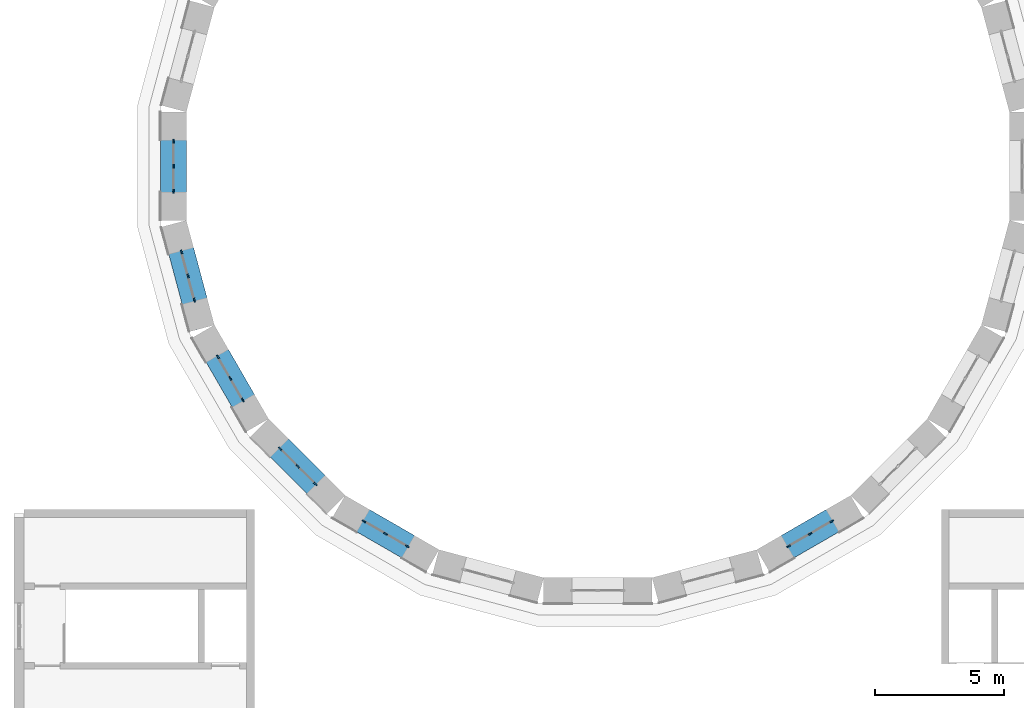
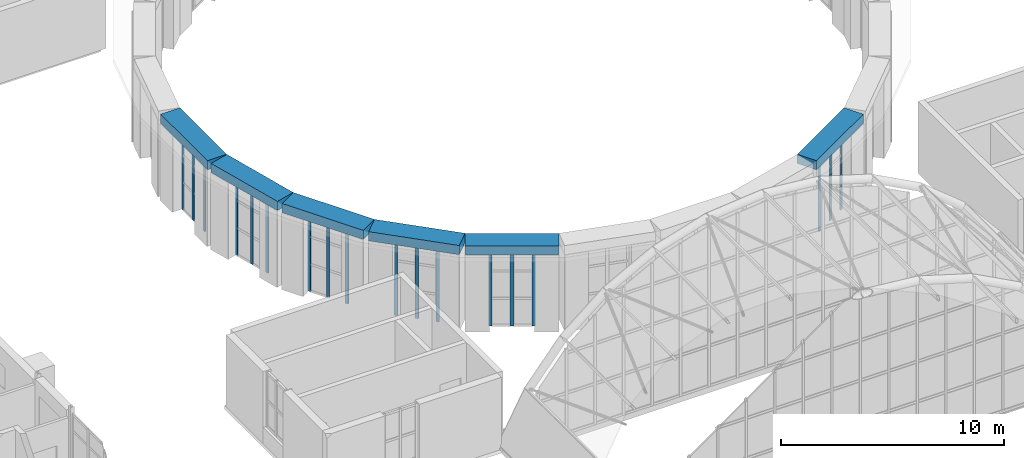
# One storey, part 57 of 121: 18 members, 6 beams, 6 elements without a shape of their own.
"""IFC4 building model written with IfcOpenShell, lengths in metres."""

from ifc_helpers import new_model, si_unit, direction, frame, origin, origin_2d, place, context, subcontext, project, spatial, rectangle, extrude, material, layer, layer_set, material_profile, profile_set, type_object, element, aggregate, save


model = new_model("IFC4")

# Units and contexts
model_context = context("Model", 3, precision=1e-05, world=origin(), true_north=direction((0.0, 1.0)))
body_context = subcontext(model_context, "Body", "Model", "MODEL_VIEW")
ifc_project = project(units=[si_unit("LENGTHUNIT", "METRE"), si_unit("AREAUNIT", "SQUARE_METRE"), si_unit("VOLUMEUNIT", "CUBIC_METRE"), si_unit("PLANEANGLEUNIT", "RADIAN"), si_unit("MASSUNIT", "GRAM", prefix="KILO")], contexts=[model_context])

# Site, building, storey
site_placement = place(None, origin())
site = spatial("IfcSite", under=ifc_project, at=site_placement, CompositionType="ELEMENT")
building_placement = place(site_placement, origin())
building = spatial("IfcBuilding", under=site, at=building_placement, Name="Golden Quay Civic Hall", CompositionType="ELEMENT")
storey_placement = place(building_placement, frame((0.0, 0.0, 18.60009765625)))
storey = spatial("IfcBuildingStorey", under=building, at=storey_placement, Name="L04", CompositionType="ELEMENT", Elevation=18.60009765625)

# Curtain wall, members
ifc_material_1 = material(Name="Glass, laminated double glazed", Category="glass")
ifc_layer = layer(ifc_material_1, 0.199951171875)
ifc_layer_set = layer_set([ifc_layer], Name="Glazed drum clerestory curtain wall")
curtain_wall_type = type_object("IfcCurtainWallType", Name="Glazed drum clerestory curtain wall", PredefinedType="NOTDEFINED", material=ifc_layer_set)
curtain_wall_1_placement = place(storey_placement, origin())
curtain_wall_1 = element("IfcCurtainWall", 1, at=curtain_wall_1_placement, inside=storey, type_object=curtain_wall_type, Name="Clerestory curtain wall 12", PredefinedType="NOTDEFINED")
ifc_material_2 = material(Name="Aluminium, anodised", Category="aluminium")
ifc_material_profile_1 = material_profile(ifc_material_2, rectangle(XDim=0.06005859375, YDim=0.159912109375, at=origin_2d()), Name="Aluminium 60 x 160")
ifc_profile_set_1 = profile_set([ifc_material_profile_1], Name="Aluminium, anodised")
member_type = type_object("IfcMemberType", Name="Aluminium mullion 60 x 160", PredefinedType="MULLION", material=ifc_profile_set_1)
member_1_placement = place(storey_placement, frame((69.0, 86.469970703125, -0.2001953125), z_axis=(0.0, 0.0, 1.0), x_axis=(1.0, 0.0, 0.0)))
member_1 = element("IfcMember", 2, at=member_1_placement, type_object=member_type, Name="CW5 mullion 1", PredefinedType="MULLION", context=body_context, shape_type="SweptSolid", body=[
    extrude(rectangle(XDim=0.06005859375, YDim=0.159912109375, at=origin_2d()), origin(), (0.0, 0.0, 1.0), 4.2001953125),
])
member_2_placement = place(storey_placement, frame((69.0, 85.5, -0.2001953125), z_axis=(0.0, 0.0, 1.0), x_axis=(1.0, 0.0, 0.0)))
member_2 = element("IfcMember", 3, at=member_2_placement, type_object=member_type, Name="CW5 mullion 2", PredefinedType="MULLION", context=body_context, shape_type="SweptSolid", body=[
    extrude(rectangle(XDim=0.06005859375, YDim=0.159912109375, at=origin_2d()), origin(), (0.0, 0.0, 1.0), 4.2001953125),
])
member_3_placement = place(storey_placement, frame((69.0, 84.530029296875, -0.2001953125), z_axis=(0.0, 0.0, 1.0), x_axis=(1.0, 0.0, 0.0)))
member_3 = element("IfcMember", 4, at=member_3_placement, type_object=member_type, Name="CW5 mullion 3", PredefinedType="MULLION", context=body_context, shape_type="SweptSolid", body=[
    extrude(rectangle(XDim=0.06005859375, YDim=0.159912109375, at=origin_2d()), origin(), (0.0, 0.0, 1.0), 4.2001953125),
])
aggregate(curtain_wall_1, [member_1, member_2, member_3])

curtain_wall_2_placement = place(storey_placement, origin())
curtain_wall_2 = element("IfcCurtainWall", 5, at=curtain_wall_2_placement, inside=storey, type_object=curtain_wall_type, Name="Clerestory curtain wall 13", PredefinedType="NOTDEFINED")
member_4_placement = place(storey_placement, frame((69.311279296875, 82.16650390625, -0.2001953125), z_axis=(0.0, 0.0, 1.0), x_axis=(0.965928857556, 0.258807731996, 0.0)))
member_4 = element("IfcMember", 6, at=member_4_placement, type_object=member_type, Name="CW5 mullion 1", PredefinedType="MULLION", context=body_context, shape_type="SweptSolid", body=[
    extrude(rectangle(XDim=0.06005859375, YDim=0.159912109375, at=origin_2d()), origin(), (0.0, 0.0, 1.0), 4.2001953125),
])
member_5_placement = place(storey_placement, frame((69.562255859375, 81.2294921875, -0.2001953125), z_axis=(0.0, 0.0, 1.0), x_axis=(0.965928857556, 0.258807731996, 0.0)))
member_5 = element("IfcMember", 7, at=member_5_placement, type_object=member_type, Name="CW5 mullion 2", PredefinedType="MULLION", context=body_context, shape_type="SweptSolid", body=[
    extrude(rectangle(XDim=0.06005859375, YDim=0.159912109375, at=origin_2d()), origin(), (0.0, 0.0, 1.0), 4.2001953125),
])
member_6_placement = place(storey_placement, frame((69.813232421875, 80.29248046875, -0.2001953125), z_axis=(0.0, 0.0, 1.0), x_axis=(0.965928857556, 0.258807731996, 0.0)))
member_6 = element("IfcMember", 8, at=member_6_placement, type_object=member_type, Name="CW5 mullion 3", PredefinedType="MULLION", context=body_context, shape_type="SweptSolid", body=[
    extrude(rectangle(XDim=0.06005859375, YDim=0.159912109375, at=origin_2d()), origin(), (0.0, 0.0, 1.0), 4.2001953125),
])
aggregate(curtain_wall_2, [member_4, member_5, member_6])

curtain_wall_3_placement = place(storey_placement, origin())
curtain_wall_3 = element("IfcCurtainWall", 9, at=curtain_wall_3_placement, inside=storey, type_object=curtain_wall_type, Name="Clerestory curtain wall 14", PredefinedType="NOTDEFINED")
member_7_placement = place(storey_placement, frame((70.7255859375, 78.090087890625, -0.2001953125), z_axis=(0.0, 0.0, 1.0), x_axis=(0.866019052627, 0.500011000366, 0.0)))
member_7 = element("IfcMember", 10, at=member_7_placement, type_object=member_type, Name="CW5 mullion 1", PredefinedType="MULLION", context=body_context, shape_type="SweptSolid", body=[
    extrude(rectangle(XDim=0.06005859375, YDim=0.159912109375, at=origin_2d()), origin(), (0.0, 0.0, 1.0), 4.2001953125),
])
member_8_placement = place(storey_placement, frame((71.210693359375, 77.25, -0.2001953125), z_axis=(0.0, 0.0, 1.0), x_axis=(0.866019052627, 0.500011000366, 0.0)))
member_8 = element("IfcMember", 11, at=member_8_placement, type_object=member_type, Name="CW5 mullion 2", PredefinedType="MULLION", context=body_context, shape_type="SweptSolid", body=[
    extrude(rectangle(XDim=0.06005859375, YDim=0.159912109375, at=origin_2d()), origin(), (0.0, 0.0, 1.0), 4.2001953125),
])
member_9_placement = place(storey_placement, frame((71.695556640625, 76.409912109375, -0.2001953125), z_axis=(0.0, 0.0, 1.0), x_axis=(0.866019052627, 0.500011000366, 0.0)))
member_9 = element("IfcMember", 12, at=member_9_placement, type_object=member_type, Name="CW5 mullion 3", PredefinedType="MULLION", context=body_context, shape_type="SweptSolid", body=[
    extrude(rectangle(XDim=0.06005859375, YDim=0.159912109375, at=origin_2d()), origin(), (0.0, 0.0, 1.0), 4.2001953125),
])
aggregate(curtain_wall_3, [member_7, member_8, member_9])

curtain_wall_4_placement = place(storey_placement, origin())
curtain_wall_4 = element("IfcCurtainWall", 13, at=curtain_wall_4_placement, inside=storey, type_object=curtain_wall_type, Name="Clerestory curtain wall 15", PredefinedType="NOTDEFINED")
member_10_placement = place(storey_placement, frame((73.146728515625, 74.5185546875, -0.2001953125), z_axis=(0.0, 0.0, 1.0), x_axis=(0.707106781187, 0.707106781187, 0.0)))
member_10 = element("IfcMember", 14, at=member_10_placement, type_object=member_type, Name="CW5 mullion 1", PredefinedType="MULLION", context=body_context, shape_type="SweptSolid", body=[
    extrude(rectangle(XDim=0.06005859375, YDim=0.159912109375, at=origin_2d()), origin(), (0.0, 0.0, 1.0), 4.2001953125),
])
member_11_placement = place(storey_placement, frame((73.832763671875, 73.832763671875, -0.2001953125), z_axis=(0.0, 0.0, 1.0), x_axis=(0.707106781187, 0.707106781187, 0.0)))
member_11 = element("IfcMember", 15, at=member_11_placement, type_object=member_type, Name="CW5 mullion 2", PredefinedType="MULLION", context=body_context, shape_type="SweptSolid", body=[
    extrude(rectangle(XDim=0.06005859375, YDim=0.159912109375, at=origin_2d()), origin(), (0.0, 0.0, 1.0), 4.2001953125),
])
member_12_placement = place(storey_placement, frame((74.5185546875, 73.146728515625, -0.2001953125), z_axis=(0.0, 0.0, 1.0), x_axis=(0.707106781187, 0.707106781187, 0.0)))
member_12 = element("IfcMember", 16, at=member_12_placement, type_object=member_type, Name="CW5 mullion 3", PredefinedType="MULLION", context=body_context, shape_type="SweptSolid", body=[
    extrude(rectangle(XDim=0.06005859375, YDim=0.159912109375, at=origin_2d()), origin(), (0.0, 0.0, 1.0), 4.2001953125),
])
aggregate(curtain_wall_4, [member_10, member_11, member_12])

curtain_wall_5_placement = place(storey_placement, origin())
curtain_wall_5 = element("IfcCurtainWall", 17, at=curtain_wall_5_placement, inside=storey, type_object=curtain_wall_type, Name="Clerestory curtain wall 16", PredefinedType="NOTDEFINED")
member_13_placement = place(storey_placement, frame((76.409912109375, 71.695556640625, -0.2001953125), z_axis=(0.0, 0.0, 1.0), x_axis=(0.500011000366, 0.866019052627, 0.0)))
member_13 = element("IfcMember", 18, at=member_13_placement, type_object=member_type, Name="CW5 mullion 1", PredefinedType="MULLION", context=body_context, shape_type="SweptSolid", body=[
    extrude(rectangle(XDim=0.06005859375, YDim=0.159912109375, at=origin_2d()), origin(), (0.0, 0.0, 1.0), 4.2001953125),
])
member_14_placement = place(storey_placement, frame((77.25, 71.210693359375, -0.2001953125), z_axis=(0.0, 0.0, 1.0), x_axis=(0.500011000366, 0.866019052627, 0.0)))
member_14 = element("IfcMember", 19, at=member_14_placement, type_object=member_type, Name="CW5 mullion 2", PredefinedType="MULLION", context=body_context, shape_type="SweptSolid", body=[
    extrude(rectangle(XDim=0.06005859375, YDim=0.159912109375, at=origin_2d()), origin(), (0.0, 0.0, 1.0), 4.2001953125),
])
member_15_placement = place(storey_placement, frame((78.090087890625, 70.7255859375, -0.2001953125), z_axis=(0.0, 0.0, 1.0), x_axis=(0.500011000366, 0.866019052627, 0.0)))
member_15 = element("IfcMember", 20, at=member_15_placement, type_object=member_type, Name="CW5 mullion 3", PredefinedType="MULLION", context=body_context, shape_type="SweptSolid", body=[
    extrude(rectangle(XDim=0.06005859375, YDim=0.159912109375, at=origin_2d()), origin(), (0.0, 0.0, 1.0), 4.2001953125),
])
aggregate(curtain_wall_5, [member_13, member_14, member_15])

curtain_wall_6_placement = place(storey_placement, origin())
curtain_wall_6 = element("IfcCurtainWall", 21, at=curtain_wall_6_placement, inside=storey, type_object=curtain_wall_type, Name="Clerestory curtain wall 20", PredefinedType="NOTDEFINED")
member_16_placement = place(storey_placement, frame((92.909912109375, 70.7255859375, -0.2001953125), z_axis=(0.0, 0.0, 1.0), x_axis=(-0.500011000366, 0.866019052627, 0.0)))
member_16 = element("IfcMember", 22, at=member_16_placement, type_object=member_type, Name="CW5 mullion 1", PredefinedType="MULLION", context=body_context, shape_type="SweptSolid", body=[
    extrude(rectangle(XDim=0.06005859375, YDim=0.159912109375, at=origin_2d()), origin(), (0.0, 0.0, 1.0), 4.2001953125),
])
member_17_placement = place(storey_placement, frame((93.75, 71.210693359375, -0.2001953125), z_axis=(0.0, 0.0, 1.0), x_axis=(-0.500011000366, 0.866019052627, 0.0)))
member_17 = element("IfcMember", 23, at=member_17_placement, type_object=member_type, Name="CW5 mullion 2", PredefinedType="MULLION", context=body_context, shape_type="SweptSolid", body=[
    extrude(rectangle(XDim=0.06005859375, YDim=0.159912109375, at=origin_2d()), origin(), (0.0, 0.0, 1.0), 4.2001953125),
])
member_18_placement = place(storey_placement, frame((94.590087890625, 71.695556640625, -0.2001953125), z_axis=(0.0, 0.0, 1.0), x_axis=(-0.500011000366, 0.866019052627, 0.0)))
member_18 = element("IfcMember", 24, at=member_18_placement, type_object=member_type, Name="CW5 mullion 3", PredefinedType="MULLION", context=body_context, shape_type="SweptSolid", body=[
    extrude(rectangle(XDim=0.06005859375, YDim=0.159912109375, at=origin_2d()), origin(), (0.0, 0.0, 1.0), 4.2001953125),
])
aggregate(curtain_wall_6, [member_16, member_17, member_18])

# Beams
ifc_material_3 = material(Name="Concrete C40/50", Category="concrete")
ifc_material_profile_2 = material_profile(ifc_material_3, rectangle(XDim=1.0, YDim=0.5, at=origin_2d()), Name="RC 1000x500")
ifc_profile_set_2 = profile_set([ifc_material_profile_2], Name="Concrete C40/50")
beam_type = type_object("IfcBeamType", Name="Reinforced concrete springing ring beam 1000x500", PredefinedType="BEAM", material=ifc_profile_set_2)
for number, where, z_axis, x_axis, name in (
    (25, (69.0, 87.6064453125, 4.25), (0.0, -1.0, 0.0), (1.0, 0.0, 0.0), "Drum ring beam segment 12"),
    (26, (69.01708984375, 83.26416015625, 4.25), (0.258809467323, -0.965928392597, 0.0), (0.965928392597, 0.258809467323, 0.0), "Drum ring beam segment 13"),
    (27, (70.157470703125, 79.07421875, 4.25), (0.500003371769, -0.866023457084, 0.0), (0.866023457084, 0.500003371769, 0.0), "Drum ring beam segment 14"),
    (28, (72.34326171875, 75.322265625, 4.25), (0.707106781187, -0.707106781187, 0.0), (0.707106781187, 0.707106781187, 0.0), "Drum ring beam segment 15"),
    (29, (75.42578125, 72.263916015625, 4.25), (0.866023457084, -0.500003371769, 0.0), (0.500003371769, 0.866023457084, 0.0), "Drum ring beam segment 16"),
    (30, (91.92578125, 70.157470703125, 4.25), (0.866023457084, 0.500003371769, 0.0), (-0.500003371769, 0.866023457084, 0.0), "Drum ring beam segment 20"),
):
    element("IfcBeam", number, at=place(storey_placement, frame(where, z_axis=z_axis, x_axis=x_axis)), inside=storey, type_object=beam_type, Name=name, PredefinedType="BEAM", context=body_context, shape_type="SweptSolid", body=[
        extrude(rectangle(XDim=1.0, YDim=0.5, at=origin_2d()), origin(), (0.0, 0.0, 1.0), 4.212890625),
    ])

save(model, "model.ifc")
